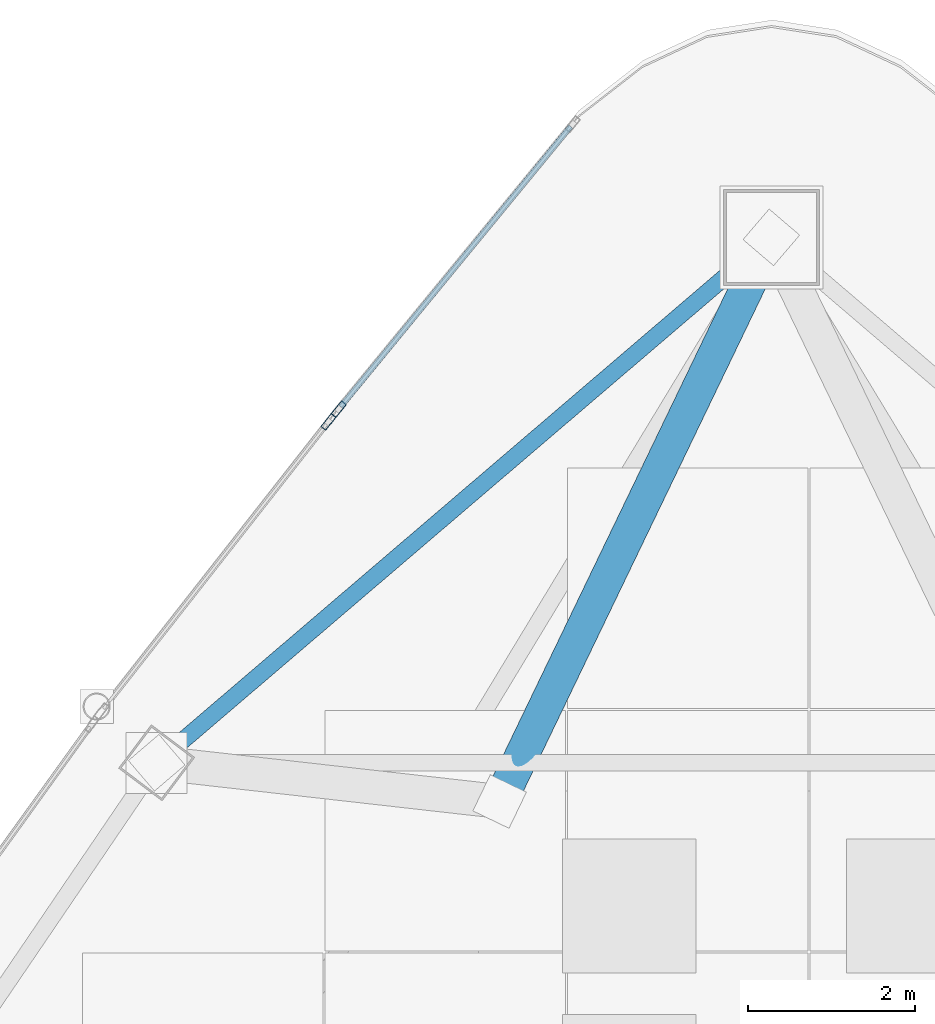
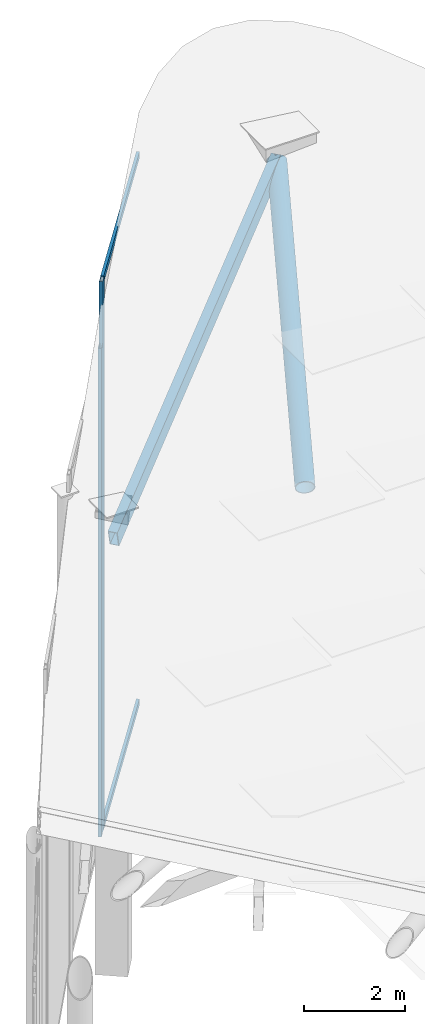
# One storey, part 15 of 21: 6 members, 2 elements without a shape of their own.
"""IFC4 building model written with IfcOpenShell, lengths in metres."""

import ifcopenshell
import ifcopenshell.guid

model = None  # the IFC model being written
_history = None  # IfcOwnerHistory: only IFC2X3 demands one
_inside = {}  # id of a spatial element -> (the spatial element, [elements in it])
_under = {}  # id of a project, library or spatial element -> (it, [spatial elements below it])
_declared = {}  # id of a project -> (the project, [libraries it declares])
_typed = {}  # id of a type object -> (the type object, [elements of that type])
_made_of = {}  # id of a material, layer set ... -> (it, [elements and type objects made of it])


def new_model(schema):
    """Start an empty IFC model of exactly this schema.

    Asked for "IFC4X3", IfcOpenShell would pick the latest addendum, in which some entities
    have other attributes; the version numbers below select the first issue.
    IFC2X3 requires an IfcOwnerHistory on every rooted entity: one is made here for all.
    """
    global model, _history
    if schema == "IFC4X3":
        model = ifcopenshell.file(schema_version=(4, 3, 0, 0))
    else:
        model = ifcopenshell.file(schema=schema)
    _inside.clear()
    _under.clear()
    _declared.clear()
    _typed.clear()
    _made_of.clear()
    _history = None
    if model.schema == "IFC2X3":
        org = make("IfcOrganization", Name="unknown")
        user = make(
            "IfcPersonAndOrganization",
            ThePerson=make("IfcPerson", FamilyName="unknown"),
            TheOrganization=org,
        )
        app = make(
            "IfcApplication",
            ApplicationDeveloper=org,
            Version="unknown",
            ApplicationFullName="unknown",
            ApplicationIdentifier="unknown",
        )
        _history = make(
            "IfcOwnerHistory",
            OwningUser=user,
            OwningApplication=app,
            ChangeAction="ADDED",
            CreationDate=0,
        )
    return model


def make(cls, **values):
    """One entity of the class cls with the attributes given. An attribute that is None is left unset."""
    return model.create_entity(
        cls, **{name: value for name, value in values.items() if value is not None}
    )


def rooted(cls, **values):
    """An entity with a GlobalId (a new one), such as an element, a storey or a relation."""
    return make(cls, GlobalId=ifcopenshell.guid.new(), OwnerHistory=_history, **values)


def si_unit(unit_type, name, prefix=None):
    """IfcSIUnit, for example si_unit("LENGTHUNIT", "METRE", prefix="MILLI")."""
    return make("IfcSIUnit", UnitType=unit_type, Prefix=prefix, Name=name)


def assignment(units):
    """IfcUnitAssignment: the units of a project."""
    return None if units is None else make("IfcUnitAssignment", Units=units)


def point(xyz):
    """IfcCartesianPoint."""
    return None if xyz is None else make("IfcCartesianPoint", Coordinates=xyz)


def direction(xyz):
    """IfcDirection."""
    return None if xyz is None else make("IfcDirection", DirectionRatios=xyz)


def frame(location, z_axis=None, x_axis=None):
    """IfcAxis2Placement3D, a coordinate frame: its origin and axes. An axis left out is left unset."""
    return make(
        "IfcAxis2Placement3D",
        Location=point(location),
        Axis=direction(z_axis),
        RefDirection=direction(x_axis),
    )


def frame_2d(location, x_axis=None):
    """IfcAxis2Placement2D, a coordinate frame in the plane: its origin and x axis."""
    return make(
        "IfcAxis2Placement2D", Location=point(location), RefDirection=direction(x_axis)
    )


def origin():
    """The frame at (0, 0, 0) with its axes left unset."""
    return frame((0.0, 0.0, 0.0))


def origin_2d():
    """The frame at (0, 0) in the plane with its x axis left unset."""
    return frame_2d((0.0, 0.0))


def place(relative_to, where):
    """IfcLocalPlacement: puts the frame where relative to a parent placement (None: the world)."""
    return make(
        "IfcLocalPlacement", PlacementRelTo=relative_to, RelativePlacement=where
    )


def context(
    kind, dimensions, precision=None, world=None, true_north=None, identifier=None
):
    """IfcGeometricRepresentationContext, for example the 3D "Model" context."""
    return make(
        "IfcGeometricRepresentationContext",
        ContextIdentifier=identifier,
        ContextType=kind,
        CoordinateSpaceDimension=dimensions,
        Precision=precision,
        WorldCoordinateSystem=world,
        TrueNorth=true_north,
    )


def subcontext(parent, identifier, kind, view, scale=None):
    """IfcGeometricRepresentationSubContext, for example "Body" below "Model"."""
    return make(
        "IfcGeometricRepresentationSubContext",
        ContextIdentifier=identifier,
        ContextType=kind,
        ParentContext=parent,
        TargetScale=scale,
        TargetView=view,
    )


def project(units=None, contexts=None):
    """IfcProject with its units and contexts."""
    return rooted(
        "IfcProject",
        Name="project",
        RepresentationContexts=contexts,
        UnitsInContext=assignment(units),
    )


def spatial(cls, under=None, at=None, **own):
    """A site, building, storey or space (cls), placed at a placement, below another one or the project."""
    s = rooted(cls, ObjectPlacement=at, **own)
    if under is not None:
        _under.setdefault(under.id(), (under, []))[1].append(s)
    return s


def profile(cls, at=None, kind="AREA", **sizes):
    """A parametric profile (cls). Its sizes go by their IFC names, for example OverallWidth=200.0."""
    return make(cls, ProfileType=kind, Position=at, **sizes)


def hollow_rectangle(**sizes):
    """IfcRectangleHollowProfileDef."""
    return profile("IfcRectangleHollowProfileDef", **sizes)


def hollow_circle(**sizes):
    """IfcCircleHollowProfileDef."""
    return profile("IfcCircleHollowProfileDef", **sizes)


def extrude(swept, where, along, depth):
    """IfcExtrudedAreaSolid: the profile swept, set in the frame where, extruded along a direction by depth."""
    return make(
        "IfcExtrudedAreaSolid",
        SweptArea=swept,
        Position=where,
        ExtrudedDirection=direction(along),
        Depth=depth,
    )


def shape(context_of_items, identifier, shape_type, items):
    """IfcShapeRepresentation: the items that make up one representation, for example the "Body"."""
    return make(
        "IfcShapeRepresentation",
        ContextOfItems=context_of_items,
        RepresentationIdentifier=identifier,
        RepresentationType=shape_type,
        Items=items,
    )


def material(Name=None, Category=None):
    """IfcMaterial."""
    return make("IfcMaterial", Name=Name, Category=Category)


def layer(
    of_material, thickness, ventilated=None, Name=None, Category=None, Priority=None
):
    """IfcMaterialLayer: one layer of a wall or slab, of a material (None: an air gap)."""
    return make(
        "IfcMaterialLayer",
        Material=of_material,
        LayerThickness=thickness,
        IsVentilated=ventilated,
        Name=Name,
        Category=Category,
        Priority=Priority,
    )


def layer_set(layers, Name=None):
    """IfcMaterialLayerSet."""
    return make("IfcMaterialLayerSet", MaterialLayers=layers, LayerSetName=Name)


def material_profile(
    of_material, cross_section, Name=None, Category=None, Priority=None
):
    """IfcMaterialProfile: a cross section and its material."""
    return make(
        "IfcMaterialProfile",
        Name=Name,
        Material=of_material,
        Profile=cross_section,
        Priority=Priority,
        Category=Category,
    )


def profile_set(profiles, Name=None, composite=None):
    """IfcMaterialProfileSet."""
    return make(
        "IfcMaterialProfileSet",
        Name=Name,
        MaterialProfiles=profiles,
        CompositeProfile=composite,
    )


def made_of(thing, what):
    """Note that an element or type object is made of a material, layer set ...; save() writes the relation."""
    if what is not None:
        _made_of.setdefault(what.id(), (what, []))[1].append(thing)
    return thing


def type_object(cls, material=None, **own):
    """A type object (cls), such as IfcWallType, which elements share."""
    return made_of(rooted(cls, **own), material)


def element(
    cls,
    number,
    at=None,
    inside=None,
    cuts=None,
    type_object=None,
    material=None,
    context=None,
    identifier="Body",
    shape_type=None,
    held_by="IfcProductDefinitionShape",
    body=None,
    shapes=None,
    **own,
):
    """One element of the class cls, such as IfcWall. Its Tag is "e" and its number.

    at: its placement. inside: the storey or other place that contains it. cuts: it is an
    opening in that element (IfcRelVoidsElement). A single representation is given by context,
    identifier, shape_type and body (its items); several are given by shapes. held_by: the class
    of the entity that holds the representations. save() writes the other relations.
    """
    e = rooted(cls, Tag="e%d" % number, ObjectPlacement=at, **own)
    if body is not None:
        shapes = [shape(context, identifier, shape_type, body)]
    if shapes is not None:
        e.Representation = make(held_by, Representations=shapes)
    if inside is not None:
        _inside.setdefault(inside.id(), (inside, []))[1].append(e)
    if cuts is not None:
        rooted(
            "IfcRelVoidsElement", RelatingBuildingElement=cuts, RelatedOpeningElement=e
        )
    if type_object is not None:
        _typed.setdefault(type_object.id(), (type_object, []))[1].append(e)
    return made_of(e, material)


def aggregate(whole, parts):
    """IfcRelAggregates: a whole, such as a stair, and the parts it consists of."""
    return rooted("IfcRelAggregates", RelatingObject=whole, RelatedObjects=parts)


def save(model, path):
    """Write the relations noted so far, then the file.

    IfcRelAggregates (storeys below a building ...), IfcRelContainedInSpatialStructure (elements
    in a storey), IfcRelDefinesByType, IfcRelAssociatesMaterial and IfcRelDeclares: one each for
    every whole, place, type object, material and project.
    """
    for whole, parts in _under.values():
        aggregate(whole, parts)
    for where, things in _inside.values():
        rooted(
            "IfcRelContainedInSpatialStructure",
            RelatedElements=things,
            RelatingStructure=where,
        )
    for kind, things in _typed.values():
        rooted("IfcRelDefinesByType", RelatedObjects=things, RelatingType=kind)
    for what, things in _made_of.values():
        rooted("IfcRelAssociatesMaterial", RelatedObjects=things, RelatingMaterial=what)
    for by, libraries in _declared.values():
        rooted("IfcRelDeclares", RelatingContext=by, RelatedDefinitions=libraries)
    model.write(path)


model = new_model("IFC4")

# Units and contexts
model_context = context("Model", 3, precision=1e-05, world=origin(), true_north=direction((0.0, 1.0)))
body_context = subcontext(model_context, "Body", "Model", "MODEL_VIEW")
ifc_project = project(units=[si_unit("LENGTHUNIT", "METRE"), si_unit("AREAUNIT", "SQUARE_METRE"), si_unit("VOLUMEUNIT", "CUBIC_METRE"), si_unit("PLANEANGLEUNIT", "RADIAN"), si_unit("MASSUNIT", "GRAM", prefix="KILO")], contexts=[model_context])

# Site, building, storey
site_placement = place(None, origin())
site = spatial("IfcSite", under=ifc_project, at=site_placement, CompositionType="ELEMENT")
building_placement = place(site_placement, origin())
building = spatial("IfcBuilding", under=site, at=building_placement, Name="Orvanel Arch Residences", CompositionType="ELEMENT")
storey_placement = place(building_placement, frame((0.0, 0.0, 314.89990234375)))
storey = spatial("IfcBuildingStorey", under=building, at=storey_placement, Name="RF", CompositionType="ELEMENT", Elevation=314.89990234375)

# Curtain wall, member
ifc_material_1 = material(Name="Bronze-anodised aluminium AA6063-T6", Category="aluminium")
ifc_layer = layer(ifc_material_1, 0.2099609375)
ifc_layer_set = layer_set([ifc_layer], Name="Bronze-anodised aluminium AA6063-T6")
curtain_wall_type = type_object("IfcCurtainWallType", Name="CW7-TOP-SYS", PredefinedType="NOTDEFINED", material=ifc_layer_set)
curtain_wall_1_placement = place(storey_placement, origin())
curtain_wall_1 = element("IfcCurtainWall", 1, at=curtain_wall_1_placement, inside=storey, type_object=curtain_wall_type, Name="RF CW7-TOP-SYS Unitised Curtain Wall", PredefinedType="NOTDEFINED")
ifc_material_profile_1 = material_profile(ifc_material_1, hollow_rectangle(XDim=0.074951171875, YDim=0.199951171875, WallThickness=0.0048828125, at=origin_2d()), Name="ALU200x75x5")
ifc_profile_set_1 = profile_set([ifc_material_profile_1], Name="Bronze-anodised aluminium AA6063-T6")
member_type_1 = type_object("IfcMemberType", Name="MUL-200x75", PredefinedType="MULLION", material=ifc_profile_set_1)
member_1_placement = place(storey_placement, frame((27.82470703125, 39.343017578125, 0.0), z_axis=(0.0, 0.0, 1.0), x_axis=(0.773022919572, -0.634378093739, 0.0)))
member_1 = element("IfcMember", 2, at=member_1_placement, type_object=member_type_1, Name="CW-S7 mullion 2", PredefinedType="MULLION", context=body_context, shape_type="SweptSolid", body=[
    extrude(hollow_rectangle(XDim=0.074951171875, YDim=0.199951171875, WallThickness=0.0048828125, at=origin_2d()), origin(), (0.0, 0.0, 1.0), 13.260009765625),
])

curtain_wall_2_placement = place(storey_placement, origin())
curtain_wall_2 = element("IfcCurtainWall", 3, at=curtain_wall_2_placement, inside=storey, type_object=curtain_wall_type, Name="RF CW7-TOP-SYS Unitised Curtain Wall", PredefinedType="NOTDEFINED")
member_2_placement = place(storey_placement, frame((27.702880859375, 39.19140625, 0.0), z_axis=(0.0, 0.0, 1.0), x_axis=(0.786830004799, -0.617169785025, 0.0)))
member_2 = element("IfcMember", 4, at=member_2_placement, type_object=member_type_1, Name="CW-S7 mullion 1", PredefinedType="MULLION", context=body_context, shape_type="SweptSolid", body=[
    extrude(hollow_rectangle(XDim=0.074951171875, YDim=0.199951171875, WallThickness=0.0048828125, at=origin_2d()), origin(), (0.0, 0.0, 1.0), 11.778076171875),
])
aggregate(curtain_wall_2, [member_2])

# Members
ifc_material_2 = material(Name="Structural steel AS/NZS 1163 C350L0 (Grade 350)", Category="steel")
ifc_material_profile_2 = material_profile(ifc_material_2, hollow_rectangle(XDim=0.199951171875, YDim=0.39990234375, WallThickness=0.012451171875, at=origin_2d()), Name="RHS400x200x12.5")
ifc_profile_set_2 = profile_set([ifc_material_profile_2], Name="Structural steel AS/NZS 1163 C350L0 (Grade 350)")
member_type_2 = type_object("IfcMemberType", Name="RF-400RHS-EXT", PredefinedType="RAFTER", material=ifc_profile_set_2)
member_3_placement = place(storey_placement, frame((33.0, 41.39794921875, 13.05517578125), z_axis=(-0.731434800537, -0.625268183244, -0.272108124806), x_axis=(0.649786794617, -0.760116518398, 0.0)))
element("IfcMember", 5, at=member_3_placement, inside=storey, type_object=member_type_2, Name="RF Slanted Crown Outer Rim Rafter 11", PredefinedType="RAFTER", context=body_context, shape_type="SweptSolid", body=[
    extrude(hollow_rectangle(XDim=0.199951171875, YDim=0.39990234375, WallThickness=0.012451171875, at=origin_2d()), origin(), (0.0, 0.0, 1.0), 10.051513671875),
])
ifc_material_profile_3 = material_profile(ifc_material_2, hollow_circle(Radius=0.202880859375, WallThickness=0.01611328125, at=origin_2d()), Name="CHS406x16")
ifc_profile_set_3 = profile_set([ifc_material_profile_3], Name="Structural steel AS/NZS 1163 C350L0 (Grade 350)")
member_type_3 = type_object("IfcMemberType", Name="RF-406CHS-EXT", PredefinedType="RAFTER", material=ifc_profile_set_3)
member_4_placement = place(storey_placement, frame((29.75, 34.64990234375, 10.397216796875), z_axis=(0.408931599391, 0.849073723495, 0.334437974953), x_axis=(-0.900952588548, 0.433917541923, 0.0)))
element("IfcMember", 6, at=member_4_placement, inside=storey, type_object=member_type_3, Name="RF Slanted Crown Structural Soffit Rafter 08", PredefinedType="RAFTER", context=body_context, shape_type="SweptSolid", body=[
    extrude(hollow_circle(Radius=0.202880859375, WallThickness=0.01611328125, at=origin_2d()), origin(), (0.0, 0.0, 1.0), 7.947509765625),
])

# Member
ifc_material_profile_4 = material_profile(ifc_material_1, hollow_rectangle(XDim=0.06494140625, YDim=0.14990234375, WallThickness=0.00390625, at=origin_2d()), Name="ALU150x65x4")
ifc_profile_set_4 = profile_set([ifc_material_profile_4], Name="Bronze-anodised aluminium AA6063-T6")
member_type_4 = type_object("IfcMemberType", Name="TRN-150x65", PredefinedType="USERDEFINED", material=ifc_profile_set_4)
member_5_placement = place(storey_placement, frame((30.599365234375, 42.72412109375, 0.03271484375), z_axis=(-0.634362338524, -0.773035848756, 0.0), x_axis=(0.773035848756, -0.634362338524, 0.0)))
member_5 = element("IfcMember", 7, at=member_5_placement, type_object=member_type_4, Name="CW-S7 transom 1.1", ObjectType="TRANSOM", PredefinedType="USERDEFINED", context=body_context, shape_type="SweptSolid", body=[
    extrude(hollow_rectangle(XDim=0.06494140625, YDim=0.14990234375, WallThickness=0.00390625, at=origin_2d()), origin(), (0.0, 0.0, 1.0), 4.336181640625),
])

member_6_placement = place(storey_placement, frame((30.599365234375, 42.72412109375, 13.2275390625), z_axis=(-0.634362338524, -0.773035848756, 0.0), x_axis=(0.773035848756, -0.634362338524, 0.0)))
member_6 = element("IfcMember", 8, at=member_6_placement, type_object=member_type_4, Name="CW-S7 transom 1.2", ObjectType="TRANSOM", PredefinedType="USERDEFINED", context=body_context, shape_type="SweptSolid", body=[
    extrude(hollow_rectangle(XDim=0.06494140625, YDim=0.14990234375, WallThickness=0.00390625, at=origin_2d()), origin(), (0.0, 0.0, 1.0), 4.336181640625),
])

aggregate(curtain_wall_1, [member_1, member_5, member_6])

save(model, "model.ifc")
